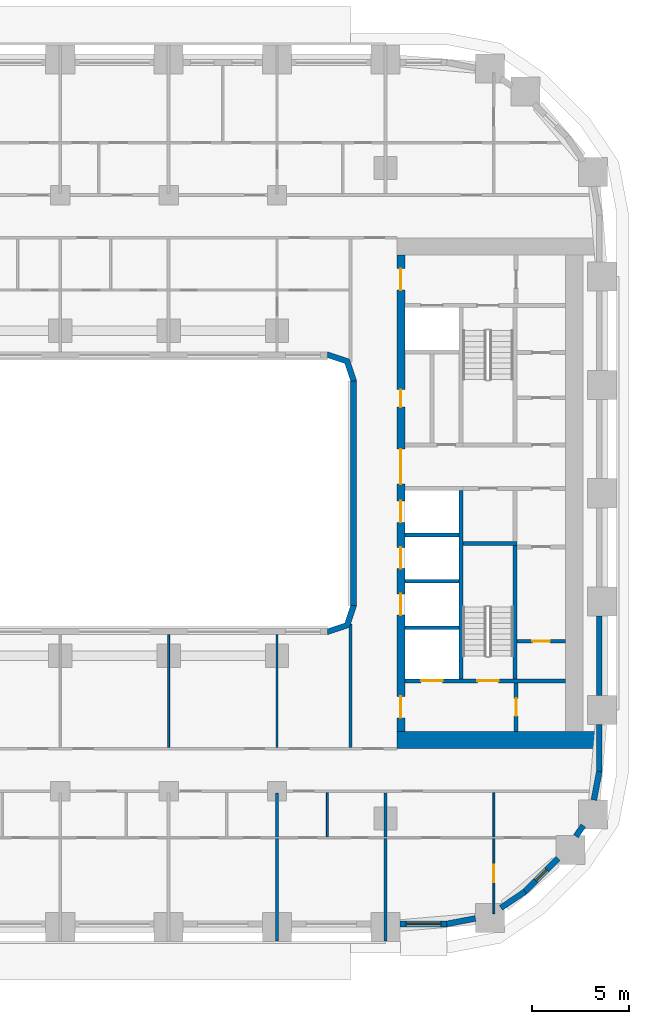
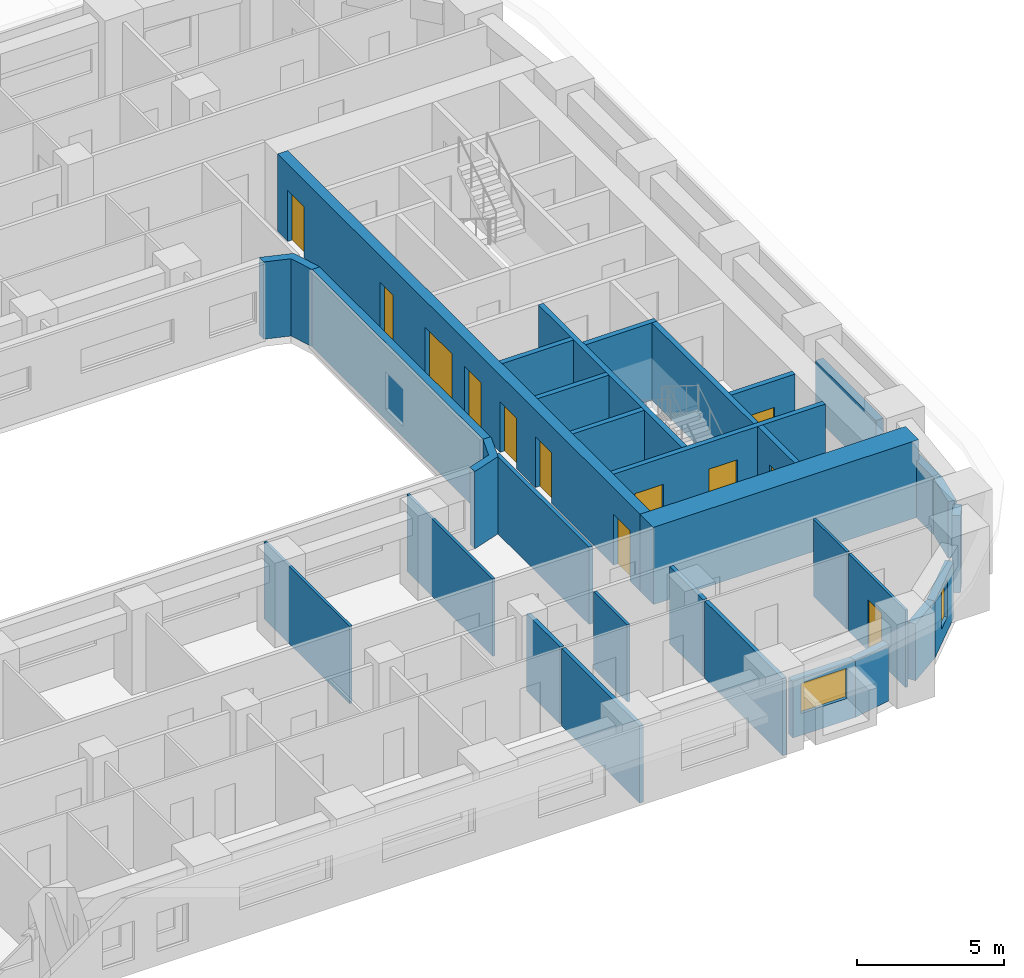
# One storey, part 6 of 22: 32 walls, 12 doors, 2 windows, 14 openings.
"""IFC4 building model written with IfcOpenShell, lengths in metres."""

from ifc_helpers import new_model, si_unit, direction, frame, frame_2d, origin, place, context, subcontext, project, spatial, polyline, rectangle, outline, extrude, material, layer, layer_set, type_object, element, fill, save


model = new_model("IFC4")

# Units and contexts
model_context = context("Model", 3, precision=1e-05, world=origin(), true_north=direction((0.0, 1.0)))
body_context = subcontext(model_context, "Body", "Model", "MODEL_VIEW")
ifc_project = project(units=[si_unit("LENGTHUNIT", "METRE"), si_unit("AREAUNIT", "SQUARE_METRE"), si_unit("VOLUMEUNIT", "CUBIC_METRE"), si_unit("PLANEANGLEUNIT", "RADIAN"), si_unit("MASSUNIT", "GRAM", prefix="KILO")], contexts=[model_context])

# Site, building, storey
site_placement = place(None, origin())
site = spatial("IfcSite", under=ifc_project, at=site_placement, CompositionType="ELEMENT")
building_placement = place(site_placement, origin())
building = spatial("IfcBuilding", under=site, at=building_placement, Name="Kiln Ring Residences", CompositionType="ELEMENT")
storey_placement = place(building_placement, frame((0.0, 0.0, 44.5)))
storey = spatial("IfcBuildingStorey", under=building, at=storey_placement, Name="L10", CompositionType="ELEMENT", Elevation=44.5)

# Wall, opening, door
ifc_material_1 = material(Name="Gypsum board on steel studs", Category="steel")
ifc_layer_1 = layer(ifc_material_1, 0.199951171875)
ifc_layer_set_1 = layer_set([ifc_layer_1], Name="CORE-PARTITION-200")
wall_type_1 = type_object("IfcWallType", Name="CORE-PARTITION-200", PredefinedType="PARTITIONING", material=ifc_layer_set_1)
wall_1_placement = place(storey_placement, frame((23.550048828125, -12.300048828125, 0.0), z_axis=(0.0, 0.0, 1.0), x_axis=(0.0, 1.0, 0.0)))
wall_1 = element("IfcWall", 1, at=wall_1_placement, inside=storey, type_object=wall_type_1, Name="Core partition east L10 5", PredefinedType="PARTITIONING", context=body_context, shape_type="SweptSolid", body=[
    extrude(rectangle(XDim=2.5, YDim=0.199951171875, at=frame_2d((1.25, 0.0))), origin(), (0.0, 0.0, 1.0), 3.199951171875),
])
opening_1_placement = place(wall_1_placement, frame((0.800048828125, 0.0, 0.0)))
opening_1 = element("IfcOpeningElement", 2, at=opening_1_placement, cuts=wall_1, Name="Opening L10-CE11", PredefinedType="OPENING", context=body_context, shape_type="SweptSolid", body=[
    extrude(rectangle(XDim=0.89990234375, YDim=2.10009765625, at=frame_2d((0.449951171875, 1.050048828125))), frame((0.0, 0.10986328125, 0.0), z_axis=(0.0, -1.0, 0.0), x_axis=(1.0, 0.0, 0.0)), (0.0, 0.0, 1.0), 0.219970703125),
])
ifc_material_2 = material(Name="Steel door leaf", Category="steel")
door_type_1 = type_object("IfcDoorType", Name="CORE-DOOR-ROOM", OperationType="SINGLE_SWING_LEFT", PredefinedType="DOOR", material=ifc_material_2)
door_1_placement = place(opening_1_placement, origin())
door_1 = element("IfcDoor", 3, at=door_1_placement, inside=storey, type_object=door_type_1, Name="Store L10-CE11", OperationType="SINGLE_SWING_RIGHT", OverallHeight=2.10009765625, OverallWidth=0.89990234375, PredefinedType="DOOR", context=body_context, shape_type="SweptSolid", body=[
    extrude(rectangle(XDim=0.89990234375, YDim=2.10009765625, at=frame_2d((0.449951171875, 1.050048828125))), frame((0.0, 0.02490234375, 0.0), z_axis=(0.0, -1.0, 0.0), x_axis=(1.0, 0.0, 0.0)), (0.0, 0.0, 1.0), 0.050048828125),
])
fill(opening_1, door_1)

wall_2_placement = place(storey_placement, frame((23.60009765625, -7.64990234375, 0.0), z_axis=(0.0, 0.0, 1.0), x_axis=(1.0, 0.0, 0.0)))
wall_2 = element("IfcWall", 4, at=wall_2_placement, inside=storey, type_object=wall_type_1, Name="Core partition east L10 6", PredefinedType="PARTITIONING", context=body_context, shape_type="SweptSolid", body=[
    extrude(rectangle(XDim=2.5, YDim=0.199951171875, at=frame_2d((1.25, 0.0))), origin(), (0.0, 0.0, 1.0), 3.199951171875),
])
opening_2_placement = place(wall_2_placement, frame((0.800048828125, 0.0, 0.0)))
opening_2 = element("IfcOpeningElement", 5, at=opening_2_placement, cuts=wall_2, Name="Opening L10-CE16", PredefinedType="OPENING", context=body_context, shape_type="SweptSolid", body=[
    extrude(rectangle(XDim=0.89990234375, YDim=2.10009765625, at=frame_2d((0.449951171875, 1.050048828125))), frame((0.0, 0.10986328125, 0.0), z_axis=(0.0, -1.0, 0.0), x_axis=(1.0, 0.0, 0.0)), (0.0, 0.0, 1.0), 0.219970703125),
])
door_2_placement = place(opening_2_placement, origin())
door_2 = element("IfcDoor", 6, at=door_2_placement, inside=storey, type_object=door_type_1, Name="Plant room L10-CE16", OperationType="SINGLE_SWING_RIGHT", OverallHeight=2.10009765625, OverallWidth=0.89990234375, PredefinedType="DOOR", context=body_context, shape_type="SweptSolid", body=[
    extrude(rectangle(XDim=0.89990234375, YDim=2.10009765625, at=frame_2d((0.449951171875, 1.050048828125))), frame((0.0, 0.02490234375, 0.0), z_axis=(0.0, -1.0, 0.0), x_axis=(1.0, 0.0, 0.0)), (0.0, 0.0, 1.0), 0.050048828125),
])
fill(opening_2, door_2)

# Walls
ifc_material_3 = material(Name="Gypsum shaft wall system")
ifc_layer_2 = layer(ifc_material_3, 0.199951171875)
ifc_layer_set_2 = layer_set([ifc_layer_2], Name="CORE-SHAFT-WALL-200")
wall_type_2 = type_object("IfcWallType", Name="CORE-SHAFT-WALL-200", PredefinedType="PARTITIONING", material=ifc_layer_set_2)
for number, where, z_axis, x_axis, name in (
    (7, (17.800048828125, -6.949951171875, 0.0), (0.0, 0.0, 1.0), (1.0, 0.0, 0.0), "Core partition east L10 10"),
    (8, (17.800048828125, -4.550048828125, 0.0), (0.0, 0.0, 1.0), (1.0, 0.0, 0.0), "Core partition east L10 11"),
    (9, (17.800048828125, -2.14990234375, 0.0), (0.0, 0.0, 1.0), (1.0, 0.0, 0.0), "Core partition east L10 12"),
):
    element("IfcWall", number, at=place(storey_placement, frame(where, z_axis=z_axis, x_axis=x_axis)), inside=storey, type_object=wall_type_2, Name=name, PredefinedType="PARTITIONING", context=body_context, shape_type="SweptSolid", body=[
        extrude(rectangle(XDim=2.800048828125, YDim=0.199951171875, at=frame_2d((1.39990234375, 0.0))), origin(), (0.0, 0.0, 1.0), 3.199951171875),
    ])
ifc_material_4 = material(Name="Concrete C40/50", Category="concrete")
ifc_layer_3 = layer(ifc_material_4, 0.199951171875)
ifc_layer_set_3 = layer_set([ifc_layer_3], Name="CORE-WALL-RC200")
wall_type_3 = type_object("IfcWallType", Name="CORE-WALL-RC200", PredefinedType="SHEAR", material=ifc_layer_set_3)
wall_3_placement = place(storey_placement, frame((20.699951171875, -9.60009765625, 0.0), z_axis=(0.0, 0.0, 1.0), x_axis=(0.0, 1.0, 0.0)))
element("IfcWall", 10, at=wall_3_placement, inside=storey, type_object=wall_type_3, Name="Core wall east L10 2", PredefinedType="SHEAR", context=body_context, shape_type="SweptSolid", body=[
    extrude(rectangle(XDim=9.75, YDim=0.199951171875, at=frame_2d((4.875, 0.0))), origin(), (0.0, 0.0, 1.0), 3.199951171875),
])

# Wall, openings, doors
wall_4_placement = place(storey_placement, frame((17.800048828125, -9.699951171875, 0.0), z_axis=(0.0, 0.0, 1.0), x_axis=(1.0, 0.0, 0.0)))
wall_4 = element("IfcWall", 11, at=wall_4_placement, inside=storey, type_object=wall_type_3, Name="Core wall east L10 8", PredefinedType="SHEAR", context=body_context, shape_type="SweptSolid", body=[
    extrude(rectangle(XDim=8.300048828125, YDim=0.199951171875, at=frame_2d((4.14990234375, 0.0))), origin(), (0.0, 0.0, 1.0), 3.199951171875),
])
opening_3_placement = place(wall_4_placement, frame((0.85009765625, 0.0, 0.0)))
opening_3 = element("IfcOpeningElement", 12, at=opening_3_placement, cuts=wall_4, Name="Opening L10-CE01", PredefinedType="OPENING", context=body_context, shape_type="SweptSolid", body=[
    extrude(rectangle(XDim=1.10009765625, YDim=2.10009765625, at=frame_2d((0.550048828125, 1.050048828125))), frame((0.0, 0.10986328125, 0.0), z_axis=(0.0, -1.0, 0.0), x_axis=(1.0, 0.0, 0.0)), (0.0, 0.0, 1.0), 0.219970703125),
])
opening_4_placement = place(wall_4_placement, frame((3.75, 0.0, 0.0)))
opening_4 = element("IfcOpeningElement", 13, at=opening_4_placement, cuts=wall_4, Name="Opening L10-CE13", PredefinedType="OPENING", context=body_context, shape_type="SweptSolid", body=[
    extrude(rectangle(XDim=1.10009765625, YDim=2.10009765625, at=frame_2d((0.550048828125, 1.050048828125))), frame((0.0, 0.10986328125, 0.0), z_axis=(0.0, -1.0, 0.0), x_axis=(1.0, 0.0, 0.0)), (0.0, 0.0, 1.0), 0.219970703125),
])
ifc_material_5 = material(Name="Steel door leaf", Category="steel")
door_type_2 = type_object("IfcDoorType", Name="CORE-DOOR-LD", OperationType="DOUBLE_DOOR_SLIDING", PredefinedType="DOOR", material=ifc_material_5)
door_3_placement = place(opening_3_placement, origin())
door_3 = element("IfcDoor", 14, at=door_3_placement, inside=storey, type_object=door_type_2, Name="LD E-SV L10-CE01", OperationType="DOUBLE_DOOR_SLIDING", OverallHeight=2.10009765625, OverallWidth=1.10009765625, PredefinedType="DOOR", context=body_context, shape_type="SweptSolid", body=[
    extrude(rectangle(XDim=1.10009765625, YDim=2.10009765625, at=frame_2d((0.550048828125, 1.050048828125))), frame((0.0, 0.02490234375, 0.0), z_axis=(0.0, -1.0, 0.0), x_axis=(1.0, 0.0, 0.0)), (0.0, 0.0, 1.0), 0.050048828125),
])
fill(opening_3, door_3)
ifc_material_6 = material(Name="Steel door leaf", Category="steel")
door_type_3 = type_object("IfcDoorType", Name="CORE-DOOR-STAIR", OperationType="SINGLE_SWING_LEFT", PredefinedType="DOOR", material=ifc_material_6)
door_4_placement = place(opening_4_placement, origin())
door_4 = element("IfcDoor", 15, at=door_4_placement, inside=storey, type_object=door_type_3, Name="Stair E-STS L10-CE13", OperationType="SINGLE_SWING_LEFT", OverallHeight=2.10009765625, OverallWidth=1.10009765625, PredefinedType="DOOR", context=body_context, shape_type="SweptSolid", body=[
    extrude(rectangle(XDim=1.10009765625, YDim=2.10009765625, at=frame_2d((0.550048828125, 1.050048828125))), frame((0.0, 0.02490234375, 0.0), z_axis=(0.0, -1.0, 0.0), x_axis=(1.0, 0.0, 0.0)), (0.0, 0.0, 1.0), 0.050048828125),
])
fill(opening_4, door_4)

# Walls
wall_5_placement = place(storey_placement, frame((23.5, -9.60009765625, 0.0), z_axis=(0.0, 0.0, 1.0), x_axis=(0.0, 1.0, 0.0)))
element("IfcWall", 16, at=wall_5_placement, inside=storey, type_object=wall_type_3, Name="Core wall east L10 11", PredefinedType="SHEAR", context=body_context, shape_type="SweptSolid", body=[
    extrude(rectangle(XDim=6.900146484375, YDim=0.199951171875, at=frame_2d((3.4501953125, 0.0))), origin(), (0.0, 0.0, 1.0), 3.199951171875),
])
wall_6_placement = place(storey_placement, frame((20.800048828125, -2.60009765625, 0.0), z_axis=(0.0, 0.0, 1.0), x_axis=(1.0, 0.0, 0.0)))
element("IfcWall", 17, at=wall_6_placement, inside=storey, type_object=wall_type_3, Name="Core wall east L10 12", PredefinedType="SHEAR", context=body_context, shape_type="SweptSolid", body=[
    extrude(rectangle(XDim=2.800048828125, YDim=0.199951171875, at=frame_2d((1.39990234375, 0.0))), origin(), (0.0, 0.0, 1.0), 3.199951171875),
])

# Wall, openings, doors
ifc_material_7 = material(Name="Concrete C60/75", Category="concrete")
ifc_layer_4 = layer(ifc_material_7, 0.39990234375)
ifc_layer_set_4 = layer_set([ifc_layer_4], Name="CORE-WALL-RC400")
wall_type_4 = type_object("IfcWallType", Name="CORE-WALL-RC400", PredefinedType="SHEAR", material=ifc_layer_set_4)
wall_7_placement = place(storey_placement, frame((17.60009765625, -12.300048828125, 0.0), z_axis=(0.0, 0.0, 1.0), x_axis=(0.0, 1.0, 0.0)))
wall_7 = element("IfcWall", 18, at=wall_7_placement, inside=storey, type_object=wall_type_4, Name="Core wall east L10 6", PredefinedType="SHEAR", context=body_context, shape_type="SweptSolid", body=[
    extrude(rectangle(XDim=24.60009765625, YDim=0.39990234375, at=frame_2d((12.300048828125, 0.0))), origin(), (0.0, 0.0, 1.0), 3.199951171875),
])
opening_5_placement = place(wall_7_placement, frame((6.0, 0.0, 0.0)))
opening_5 = element("IfcOpeningElement", 19, at=opening_5_placement, cuts=wall_7, Name="Opening L10-CE02", PredefinedType="OPENING", context=body_context, shape_type="SweptSolid", body=[
    extrude(rectangle(XDim=1.10009765625, YDim=2.10009765625, at=frame_2d((0.550048828125, 1.050048828125))), frame((0.0, 0.2099609375, 0.0), z_axis=(0.0, -1.0, 0.0), x_axis=(1.0, 0.0, 0.0)), (0.0, 0.0, 1.0), 0.419921875),
])
opening_6_placement = place(wall_7_placement, frame((8.39990234375, 0.0, 0.0)))
opening_6 = element("IfcOpeningElement", 20, at=opening_6_placement, cuts=wall_7, Name="Opening L10-CE03", PredefinedType="OPENING", context=body_context, shape_type="SweptSolid", body=[
    extrude(rectangle(XDim=1.10009765625, YDim=2.10009765625, at=frame_2d((0.550048828125, 1.050048828125))), frame((0.0, 0.2099609375, 0.0), z_axis=(0.0, -1.0, 0.0), x_axis=(1.0, 0.0, 0.0)), (0.0, 0.0, 1.0), 0.419921875),
])
opening_7_placement = place(wall_7_placement, frame((10.800048828125, 0.0, 0.0)))
opening_7 = element("IfcOpeningElement", 21, at=opening_7_placement, cuts=wall_7, Name="Opening L10-CE04", PredefinedType="OPENING", context=body_context, shape_type="SweptSolid", body=[
    extrude(rectangle(XDim=1.10009765625, YDim=2.10009765625, at=frame_2d((0.550048828125, 1.050048828125))), frame((0.0, 0.2099609375, 0.0), z_axis=(0.0, -1.0, 0.0), x_axis=(1.0, 0.0, 0.0)), (0.0, 0.0, 1.0), 0.419921875),
])
opening_8_placement = place(wall_7_placement, frame((16.75, 0.0, 0.0)))
opening_8 = element("IfcOpeningElement", 22, at=opening_8_placement, cuts=wall_7, Name="Opening L10-CE05", PredefinedType="OPENING", context=body_context, shape_type="SweptSolid", body=[
    extrude(rectangle(XDim=0.89990234375, YDim=2.10009765625, at=frame_2d((0.449951171875, 1.050048828125))), frame((0.0, 0.2099609375, 0.0), z_axis=(0.0, -1.0, 0.0), x_axis=(1.0, 0.0, 0.0)), (0.0, 0.0, 1.0), 0.419921875),
])
opening_9_placement = place(wall_7_placement, frame((22.800048828125, 0.0, 0.0)))
opening_9 = element("IfcOpeningElement", 23, at=opening_9_placement, cuts=wall_7, Name="Opening L10-CE08", PredefinedType="OPENING", context=body_context, shape_type="SweptSolid", body=[
    extrude(rectangle(XDim=1.10009765625, YDim=2.10009765625, at=frame_2d((0.550048828125, 1.050048828125))), frame((0.0, 0.2099609375, 0.0), z_axis=(0.0, -1.0, 0.0), x_axis=(1.0, 0.0, 0.0)), (0.0, 0.0, 1.0), 0.419921875),
])
opening_10_placement = place(wall_7_placement, frame((0.699951171875, 0.0, 0.0)))
opening_10 = element("IfcOpeningElement", 24, at=opening_10_placement, cuts=wall_7, Name="Opening L10-CE09", PredefinedType="OPENING", context=body_context, shape_type="SweptSolid", body=[
    extrude(rectangle(XDim=1.10009765625, YDim=2.10009765625, at=frame_2d((0.550048828125, 1.050048828125))), frame((0.0, 0.2099609375, 0.0), z_axis=(0.0, -1.0, 0.0), x_axis=(1.0, 0.0, 0.0)), (0.0, 0.0, 1.0), 0.419921875),
])
opening_11_placement = place(wall_7_placement, frame((12.77490234375, 0.0, 0.0)))
opening_11 = element("IfcOpeningElement", 25, at=opening_11_placement, cuts=wall_7, Name="Opening L10-CE14", PredefinedType="OPENING", context=body_context, shape_type="SweptSolid", body=[
    extrude(rectangle(XDim=1.800048828125, YDim=2.10009765625, at=frame_2d((0.89990234375, 1.050048828125))), frame((0.0, 0.2099609375, 0.0), z_axis=(0.0, -1.0, 0.0), x_axis=(1.0, 0.0, 0.0)), (0.0, 0.0, 1.0), 0.419921875),
])
door_5_placement = place(opening_5_placement, origin())
door_5 = element("IfcDoor", 26, at=door_5_placement, inside=storey, type_object=door_type_2, Name="LD E-L1 L10-CE02", OperationType="DOUBLE_DOOR_SLIDING", OverallHeight=2.10009765625, OverallWidth=1.10009765625, PredefinedType="DOOR", context=body_context, shape_type="SweptSolid", body=[
    extrude(rectangle(XDim=1.10009765625, YDim=2.10009765625, at=frame_2d((0.550048828125, 1.050048828125))), frame((0.0, 0.02490234375, 0.0), z_axis=(0.0, -1.0, 0.0), x_axis=(1.0, 0.0, 0.0)), (0.0, 0.0, 1.0), 0.050048828125),
])
fill(opening_5, door_5)
door_6_placement = place(opening_6_placement, origin())
door_6 = element("IfcDoor", 27, at=door_6_placement, inside=storey, type_object=door_type_2, Name="LD E-L2 L10-CE03", OperationType="DOUBLE_DOOR_SLIDING", OverallHeight=2.10009765625, OverallWidth=1.10009765625, PredefinedType="DOOR", context=body_context, shape_type="SweptSolid", body=[
    extrude(rectangle(XDim=1.10009765625, YDim=2.10009765625, at=frame_2d((0.550048828125, 1.050048828125))), frame((0.0, 0.02490234375, 0.0), z_axis=(0.0, -1.0, 0.0), x_axis=(1.0, 0.0, 0.0)), (0.0, 0.0, 1.0), 0.050048828125),
])
fill(opening_6, door_6)
door_7_placement = place(opening_7_placement, origin())
door_7 = element("IfcDoor", 28, at=door_7_placement, inside=storey, type_object=door_type_2, Name="LD E-L3 L10-CE04", OperationType="DOUBLE_DOOR_SLIDING", OverallHeight=2.10009765625, OverallWidth=1.10009765625, PredefinedType="DOOR", context=body_context, shape_type="SweptSolid", body=[
    extrude(rectangle(XDim=1.10009765625, YDim=2.10009765625, at=frame_2d((0.550048828125, 1.050048828125))), frame((0.0, 0.02490234375, 0.0), z_axis=(0.0, -1.0, 0.0), x_axis=(1.0, 0.0, 0.0)), (0.0, 0.0, 1.0), 0.050048828125),
])
fill(opening_7, door_7)
ifc_material_8 = material(Name="Steel door leaf", Category="steel")
door_type_4 = type_object("IfcDoorType", Name="CORE-DOOR-LOBBY", OperationType="SINGLE_SWING_LEFT", PredefinedType="DOOR", material=ifc_material_8)
door_8_placement = place(opening_9_placement, origin())
door_8 = element("IfcDoor", 29, at=door_8_placement, inside=storey, type_object=door_type_4, Name="FFL L10-CE08", OperationType="SINGLE_SWING_RIGHT", OverallHeight=2.10009765625, OverallWidth=1.10009765625, PredefinedType="DOOR", context=body_context, shape_type="SweptSolid", body=[
    extrude(rectangle(XDim=1.10009765625, YDim=2.10009765625, at=frame_2d((0.550048828125, 1.050048828125))), frame((0.0, 0.02490234375, 0.0), z_axis=(0.0, -1.0, 0.0), x_axis=(1.0, 0.0, 0.0)), (0.0, 0.0, 1.0), 0.050048828125),
])
fill(opening_9, door_8)
door_9_placement = place(opening_10_placement, origin())
door_9 = element("IfcDoor", 30, at=door_9_placement, inside=storey, type_object=door_type_4, Name="SVL L10-CE09", OperationType="SINGLE_SWING_LEFT", OverallHeight=2.10009765625, OverallWidth=1.10009765625, PredefinedType="DOOR", context=body_context, shape_type="SweptSolid", body=[
    extrude(rectangle(XDim=1.10009765625, YDim=2.10009765625, at=frame_2d((0.550048828125, 1.050048828125))), frame((0.0, 0.02490234375, 0.0), z_axis=(0.0, -1.0, 0.0), x_axis=(1.0, 0.0, 0.0)), (0.0, 0.0, 1.0), 0.050048828125),
])
fill(opening_10, door_9)
ifc_material_9 = material(Name="Steel door leaf", Category="steel")
door_type_5 = type_object("IfcDoorType", Name="CORE-DOOR-PASS", OperationType="DOUBLE_DOOR_SINGLE_SWING", PredefinedType="DOOR", material=ifc_material_9)
door_10_placement = place(opening_11_placement, origin())
door_10 = element("IfcDoor", 31, at=door_10_placement, inside=storey, type_object=door_type_5, Name="Core passage L10-CE14", OperationType="DOUBLE_DOOR_SINGLE_SWING", OverallHeight=2.10009765625, OverallWidth=1.800048828125, PredefinedType="DOOR", context=body_context, shape_type="SweptSolid", body=[
    extrude(rectangle(XDim=1.800048828125, YDim=2.10009765625, at=frame_2d((0.89990234375, 1.050048828125))), frame((0.0, 0.02490234375, 0.0), z_axis=(0.0, -1.0, 0.0), x_axis=(1.0, 0.0, 0.0)), (0.0, 0.0, 1.0), 0.050048828125),
])
fill(opening_11, door_10)
door_11_placement = place(opening_8_placement, origin())
door_11 = element("IfcDoor", 32, at=door_11_placement, inside=storey, type_object=door_type_1, Name="Storage room L10-CE05", OperationType="SINGLE_SWING_RIGHT", OverallHeight=2.10009765625, OverallWidth=0.89990234375, PredefinedType="DOOR", context=body_context, shape_type="SweptSolid", body=[
    extrude(rectangle(XDim=0.89990234375, YDim=2.10009765625, at=frame_2d((0.449951171875, 1.050048828125))), frame((0.0, 0.02490234375, 0.0), z_axis=(0.0, -1.0, 0.0), x_axis=(1.0, 0.0, 0.0)), (0.0, 0.0, 1.0), 0.050048828125),
])
fill(opening_8, door_11)

# Wall
ifc_material_10 = material(Name="Concrete C60/75", Category="concrete")
ifc_layer_5 = layer(ifc_material_10, 0.89990234375)
ifc_layer_set_5 = layer_set([ifc_layer_5], Name="CORE-WALL-RC900")
wall_type_5 = type_object("IfcWallType", Name="CORE-WALL-RC900", PredefinedType="SHEAR", material=ifc_layer_set_5)
wall_8_placement = place(storey_placement, frame((17.39990234375, -12.75, 0.0), z_axis=(0.0, 0.0, 1.0), x_axis=(1.0, 0.0, 0.0)))
element("IfcWall", 33, at=wall_8_placement, inside=storey, type_object=wall_type_5, Name="Core wall east L10 5", PredefinedType="SHEAR", context=body_context, shape_type="SweptSolid", body=[
    extrude(rectangle(XDim=10.400146484375, YDim=0.89990234375, at=frame_2d((5.2001953125, 0.0))), origin(), (0.0, 0.0, 1.0), 3.199951171875),
])

# Wall, opening, window
ifc_material_11 = material(Name="Brick masonry, dark clay brick", Category="masonry")
ifc_layer_6 = layer(ifc_material_11, 0.300048828125)
ifc_layer_set_6 = layer_set([ifc_layer_6], Name="EW-300 BRICK WALL")
wall_type_6 = type_object("IfcWallType", Name="EW-300 BRICK WALL", PredefinedType="SOLIDWALL", material=ifc_layer_set_6)
wall_9_placement = place(storey_placement, frame((17.550048828125, -22.25, 0.0), z_axis=(0.0, 0.0, 1.0), x_axis=(1.0, 0.0, 0.0)))
wall_9 = element("IfcWall", 34, at=wall_9_placement, inside=storey, type_object=wall_type_6, Name="Facade wall L10 11", PredefinedType="SOLIDWALL", context=body_context, shape_type="SweptSolid", body=[
    extrude(rectangle(XDim=2.449951171875, YDim=0.300048828125, at=frame_2d((1.22509765625, 0.0))), origin(), (0.0, 0.0, 1.0), 2.35009765625),
])
opening_12_placement = place(wall_9_placement, frame((0.324951171875, 0.0, 0.89990234375)))
opening_12 = element("IfcOpeningElement", 35, at=opening_12_placement, cuts=wall_9, Name="Opening W2", PredefinedType="OPENING", context=body_context, shape_type="SweptSolid", body=[
    extrude(rectangle(XDim=1.800048828125, YDim=1.25, at=frame_2d((0.89990234375, 0.625))), frame((0.0, 0.159912109375, 0.0), z_axis=(0.0, -1.0, 0.0), x_axis=(1.0, 0.0, 0.0)), (0.0, 0.0, 1.0), 0.320068359375),
])
ifc_material_12 = material(Name="Aluminium frame with double glazing", Category="aluminium")
window_type_1 = type_object("IfcWindowType", Name="WINDOW 1800 x 1250", PartitioningType="SINGLE_PANEL", PredefinedType="WINDOW", material=ifc_material_12)
window_1_placement = place(opening_12_placement, origin())
window_1 = element("IfcWindow", 36, at=window_1_placement, inside=storey, type_object=window_type_1, Name="Window L10 10", OverallHeight=1.25, OverallWidth=1.800048828125, PartitioningType="SINGLE_PANEL", PredefinedType="WINDOW", context=body_context, shape_type="SweptSolid", body=[
    extrude(rectangle(XDim=1.800048828125, YDim=1.25, at=frame_2d((0.89990234375, 0.625))), frame((0.0, 0.030029296875, 0.0), z_axis=(0.0, -1.0, 0.0), x_axis=(1.0, 0.0, 0.0)), (0.0, 0.0, 1.0), 0.06005859375),
])
fill(opening_12, window_1)

# Walls
for number, where, z_axis, x_axis, name in (
    (37, (19.971923828125, -22.252685546875, 0.0), (0.0, 0.0, 1.0), (0.982287454367, 0.187380247071, 0.0), "Facade wall L10 12"),
    (38, (22.76708984375, -21.425537109375, 0.0), (0.0, 0.0, 1.0), (0.827028997312, 0.562159263559, 0.0), "Facade wall L10 13"),
):
    element("IfcWall", number, at=place(storey_placement, frame(where, z_axis=z_axis, x_axis=x_axis)), inside=storey, type_object=wall_type_6, Name=name, PredefinedType="SOLIDWALL", context=body_context, shape_type="SweptSolid", body=[
        extrude(rectangle(XDim=1.506103515625, YDim=0.300048828125, at=frame_2d((0.7529296875, 0.0))), origin(), (0.0, 0.0, 1.0), 2.35009765625),
    ])

# Wall, opening, window
wall_10_placement = place(storey_placement, frame((23.990966796875, -20.596923828125, 0.0), z_axis=(0.0, 0.0, 1.0), x_axis=(0.707106781187, 0.707106781187, 0.0)))
wall_10 = element("IfcWall", 39, at=wall_10_placement, inside=storey, type_object=wall_type_6, Name="Facade wall L10 14", PredefinedType="SOLIDWALL", context=body_context, shape_type="SweptSolid", body=[
    extrude(rectangle(XDim=2.449951171875, YDim=0.300048828125, at=frame_2d((1.22509765625, 0.0))), origin(), (0.0, 0.0, 1.0), 2.35009765625),
])
opening_13_placement = place(wall_10_placement, frame((0.824951171875, 0.0, 0.60009765625)))
opening_13 = element("IfcOpeningElement", 40, at=opening_13_placement, cuts=wall_10, Name="Opening W5", PredefinedType="OPENING", context=body_context, shape_type="SweptSolid", body=[
    extrude(rectangle(XDim=0.800048828125, YDim=1.550048828125, at=frame_2d((0.39990234375, 0.77490234375))), frame((0.0, 0.159912109375, 0.0), z_axis=(0.0, -1.0, 0.0), x_axis=(1.0, 0.0, 0.0)), (0.0, 0.0, 1.0), 0.320068359375),
])
ifc_material_13 = material(Name="Aluminium frame with double glazing", Category="aluminium")
window_type_2 = type_object("IfcWindowType", Name="WINDOW 800 x 1550", PartitioningType="SINGLE_PANEL", PredefinedType="WINDOW", material=ifc_material_13)
window_2_placement = place(opening_13_placement, origin())
window_2 = element("IfcWindow", 41, at=window_2_placement, inside=storey, type_object=window_type_2, Name="Window L10 11", OverallHeight=1.550048828125, OverallWidth=0.800048828125, PartitioningType="SINGLE_PANEL", PredefinedType="WINDOW", context=body_context, shape_type="SweptSolid", body=[
    extrude(rectangle(XDim=0.800048828125, YDim=1.550048828125, at=frame_2d((0.39990234375, 0.77490234375))), frame((0.0, 0.030029296875, 0.0), z_axis=(0.0, -1.0, 0.0), x_axis=(1.0, 0.0, 0.0)), (0.0, 0.0, 1.0), 0.06005859375),
])
fill(opening_13, window_2)

# Walls
wall_11_placement = place(storey_placement, frame((26.644775390625, -17.72705078125, 0.0), z_axis=(0.0, 0.0, 1.0), x_axis=(0.562083182981, 0.827080706709, 0.0)))
element("IfcWall", 42, at=wall_11_placement, inside=storey, type_object=wall_type_6, Name="Facade wall L10 15", PredefinedType="SOLIDWALL", context=body_context, shape_type="SweptSolid", body=[
    extrude(rectangle(XDim=0.67724609375, YDim=0.300048828125, at=frame_2d((0.338623046875, 0.0))), origin(), (0.0, 0.0, 1.0), 3.199951171875),
])
wall_12_placement = place(storey_placement, frame((27.570556640625, -15.851318359375, 0.0), z_axis=(0.0, 0.0, 1.0), x_axis=(0.187223837635, 0.982317277982, 0.0)))
element("IfcWall", 43, at=wall_12_placement, inside=storey, type_object=wall_type_6, Name="Facade wall L10 16", PredefinedType="SOLIDWALL", context=body_context, shape_type="SweptSolid", body=[
    extrude(rectangle(XDim=1.506103515625, YDim=0.300048828125, at=frame_2d((0.7529296875, 0.0))), origin(), (0.0, 0.0, 1.0), 2.35009765625),
])
wall_13_placement = place(storey_placement, frame((27.85009765625, -14.39990234375, 0.0), z_axis=(0.0, 0.0, 1.0), x_axis=(0.0, 1.0, 0.0)))
element("IfcWall", 44, at=wall_13_placement, inside=storey, type_object=wall_type_6, Name="Facade wall L10 17", PredefinedType="SOLIDWALL", context=body_context, shape_type="SweptSolid", body=[
    extrude(rectangle(XDim=2.449951171875, YDim=0.300048828125, at=frame_2d((1.22509765625, 0.0))), origin(), (0.0, 0.0, 1.0), 2.35009765625),
])
wall_14_placement = place(storey_placement, frame((27.85009765625, -10.449951171875, 0.0), z_axis=(0.0, 0.0, 1.0), x_axis=(0.0, 1.0, 0.0)))
element("IfcWall", 45, at=wall_14_placement, inside=storey, type_object=wall_type_6, Name="Facade wall L10 18", PredefinedType="SOLIDWALL", context=body_context, shape_type="SweptSolid", body=[
    extrude(rectangle(XDim=4.099853515625, YDim=0.300048828125, at=frame_2d((2.0498046875, 0.0))), origin(), (0.0, 0.0, 1.0), 2.35009765625),
])
wall_15_placement = place(storey_placement, frame((15.14990234375, 5.800048828125, 0.0), z_axis=(0.0, 0.0, 1.0), x_axis=(0.0, -1.0, 0.0)))
element("IfcWall", 46, at=wall_15_placement, inside=storey, type_object=wall_type_6, Name="Facade wall L10 51", PredefinedType="SOLIDWALL", context=body_context, shape_type="SweptSolid", body=[
    extrude(rectangle(XDim=11.60009765625, YDim=0.300048828125, at=frame_2d((5.800048828125, 0.0))), origin(), (0.0, 0.0, 1.0), 3.199951171875),
])
placement = place(storey_placement, origin())
element("IfcWall", 47, at=placement, inside=storey, type_object=wall_type_6, Name="Corner wall L10 2", PredefinedType="SOLIDWALL", context=body_context, shape_type="SweptSolid", body=[
    extrude(outline(polyline([(14.937255859375, 6.937255859375), (13.8486328125, 7.300048828125), (13.800048828125, 7.300048828125), (13.800048828125, 7.0), (14.699951171875, 6.699951171875), (15.0, 5.800048828125), (15.300048828125, 5.800048828125), (15.300048828125, 5.8486328125), (14.937255859375, 6.937255859375)])), origin(), (0.0, 0.0, 1.0), 3.199951171875),
])
element("IfcWall", 48, at=placement, inside=storey, type_object=wall_type_6, Name="Corner wall L10 3", PredefinedType="SOLIDWALL", context=body_context, shape_type="SweptSolid", body=[
    extrude(outline(polyline([(14.937255859375, -6.937255859375), (15.300048828125, -5.8486328125), (15.300048828125, -5.800048828125), (15.0, -5.800048828125), (14.699951171875, -6.699951171875), (13.800048828125, -7.0), (13.800048828125, -7.300048828125), (13.8486328125, -7.300048828125), (14.937255859375, -6.937255859375)])), origin(), (0.0, 0.0, 1.0), 3.199951171875),
])
ifc_material_14 = material(Name="Gypsum board on steel studs", Category="steel")
ifc_layer_7 = layer(ifc_material_14, 0.10009765625)
ifc_layer_set_7 = layer_set([ifc_layer_7], Name="PARTITION-100")
wall_type_7 = type_object("IfcWallType", Name="PARTITION-100", PredefinedType="PARTITIONING", material=ifc_layer_set_7)
for number, where, z_axis, x_axis, name in (
    (49, (5.60009765625, -13.125, 0.0), (0.0, 0.0, 1.0), (0.0, 1.0, 0.0), "Partition 048"),
    (50, (11.199951171875, -13.125, 0.0), (0.0, 0.0, 1.0), (0.0, 1.0, 0.0), "Partition 057"),
):
    element("IfcWall", number, at=place(storey_placement, frame(where, z_axis=z_axis, x_axis=x_axis)), inside=storey, type_object=wall_type_7, Name=name, PredefinedType="PARTITIONING", context=body_context, shape_type="SweptSolid", body=[
        extrude(rectangle(XDim=5.804931640625, YDim=0.10009765625, at=frame_2d((2.90234375, 0.0))), origin(), (0.0, 0.0, 1.0), 3.199951171875),
    ])
wall_18_placement = place(storey_placement, frame((13.800048828125, -17.75, 0.0), z_axis=(0.0, 0.0, 1.0), x_axis=(0.0, 1.0, 0.0)))
element("IfcWall", 51, at=wall_18_placement, inside=storey, type_object=wall_type_7, Name="Partition 064", PredefinedType="PARTITIONING", context=body_context, shape_type="SweptSolid", body=[
    extrude(rectangle(XDim=2.27490234375, YDim=0.10009765625, at=frame_2d((1.137451171875, 0.0))), origin(), (0.0, 0.0, 1.0), 3.199951171875),
])

# Wall, opening, door
wall_19_placement = place(storey_placement, frame((22.39990234375, -21.719970703125, 0.0), z_axis=(0.0, 0.0, 1.0), x_axis=(0.0, 1.0, 0.0)))
wall_19 = element("IfcWall", 52, at=wall_19_placement, inside=storey, type_object=wall_type_7, Name="Partition 072", PredefinedType="PARTITIONING", context=body_context, shape_type="SweptSolid", body=[
    extrude(rectangle(XDim=3.869873046875, YDim=0.10009765625, at=frame_2d((1.93505859375, 0.0))), origin(), (0.0, 0.0, 1.0), 3.199951171875),
])
opening_14_placement = place(wall_19_placement, frame((1.6220703125, 0.0, 0.0)))
opening_14 = element("IfcOpeningElement", 53, at=opening_14_placement, cuts=wall_19, Name="Opening L10-D076", PredefinedType="OPENING", context=body_context, shape_type="SweptSolid", body=[
    extrude(rectangle(XDim=0.89990234375, YDim=2.10009765625, at=frame_2d((0.449951171875, 1.050048828125))), frame((0.0, 0.06005859375, 0.0), z_axis=(0.0, -1.0, 0.0), x_axis=(1.0, 0.0, 0.0)), (0.0, 0.0, 1.0), 0.1201171875),
])
ifc_material_15 = material(Name="Timber door leaf", Category="wood")
door_type_6 = type_object("IfcDoorType", Name="FLAT-DOOR-900-PL", OperationType="SINGLE_SWING_LEFT", PredefinedType="DOOR", material=ifc_material_15)
door_12_placement = place(opening_14_placement, origin())
door_12 = element("IfcDoor", 54, at=door_12_placement, inside=storey, type_object=door_type_6, Name="Door L10-D076", OperationType="SINGLE_SWING_RIGHT", OverallHeight=2.10009765625, OverallWidth=0.89990234375, PredefinedType="DOOR", context=body_context, shape_type="SweptSolid", body=[
    extrude(rectangle(XDim=0.89990234375, YDim=2.10009765625, at=frame_2d((0.449951171875, 1.050048828125))), frame((0.0, 0.02490234375, 0.0), z_axis=(0.0, -1.0, 0.0), x_axis=(1.0, 0.0, 0.0)), (0.0, 0.0, 1.0), 0.050048828125),
])
fill(opening_14, door_12)

# Walls
wall_20_placement = place(storey_placement, frame((22.39990234375, -17.75, 0.0), z_axis=(0.0, 0.0, 1.0), x_axis=(0.0, 1.0, 0.0)))
element("IfcWall", 55, at=wall_20_placement, inside=storey, type_object=wall_type_7, Name="Partition 073", PredefinedType="PARTITIONING", context=body_context, shape_type="SweptSolid", body=[
    extrude(rectangle(XDim=2.27490234375, YDim=0.10009765625, at=frame_2d((1.137451171875, 0.0))), origin(), (0.0, 0.0, 1.0), 3.199951171875),
])
ifc_material_16 = material(Name="Brick masonry partition", Category="masonry")
ifc_layer_8 = layer(ifc_material_16, 0.14990234375)
ifc_layer_set_8 = layer_set([ifc_layer_8], Name="PARTITION-150-ei60")
wall_type_8 = type_object("IfcWallType", Name="PARTITION-150-ei60", PredefinedType="PARTITIONING", material=ifc_layer_set_8)
wall_21_placement = place(storey_placement, frame((11.199951171875, -23.1298828125, 0.0), z_axis=(0.0, 0.0, 1.0), x_axis=(0.0, 1.0, 0.0)))
element("IfcWall", 56, at=wall_21_placement, inside=storey, type_object=wall_type_8, Name="Partition 062", PredefinedType="PARTITIONING", context=body_context, shape_type="SweptSolid", body=[
    extrude(rectangle(XDim=5.27978515625, YDim=0.14990234375, at=frame_2d((2.639892578125, 0.0))), origin(), (0.0, 0.0, 1.0), 3.199951171875),
])
wall_22_placement = place(storey_placement, frame((11.199951171875, -17.75, 0.0), z_axis=(0.0, 0.0, 1.0), x_axis=(0.0, 1.0, 0.0)))
element("IfcWall", 57, at=wall_22_placement, inside=storey, type_object=wall_type_8, Name="Partition 063", PredefinedType="PARTITIONING", context=body_context, shape_type="SweptSolid", body=[
    extrude(rectangle(XDim=2.27490234375, YDim=0.14990234375, at=frame_2d((1.137451171875, 0.0))), origin(), (0.0, 0.0, 1.0), 3.199951171875),
])
wall_23_placement = place(storey_placement, frame((15.0, -13.125, 0.0), z_axis=(0.0, 0.0, 1.0), x_axis=(0.0, 1.0, 0.0)))
element("IfcWall", 58, at=wall_23_placement, inside=storey, type_object=wall_type_8, Name="Partition 066", PredefinedType="PARTITIONING", context=body_context, shape_type="SweptSolid", body=[
    extrude(rectangle(XDim=6.356201171875, YDim=0.14990234375, at=frame_2d((3.17822265625, 0.0))), origin(), (0.0, 0.0, 1.0), 3.199951171875),
])
wall_24_placement = place(storey_placement, frame((16.800048828125, -23.1298828125, 0.0), z_axis=(0.0, 0.0, 1.0), x_axis=(0.0, 1.0, 0.0)))
element("IfcWall", 59, at=wall_24_placement, inside=storey, type_object=wall_type_8, Name="Partition 068", PredefinedType="PARTITIONING", context=body_context, shape_type="SweptSolid", body=[
    extrude(rectangle(XDim=5.27978515625, YDim=0.14990234375, at=frame_2d((2.639892578125, 0.0))), origin(), (0.0, 0.0, 1.0), 3.199951171875),
])
wall_25_placement = place(storey_placement, frame((16.800048828125, -17.75, 0.0), z_axis=(0.0, 0.0, 1.0), x_axis=(0.0, 1.0, 0.0)))
element("IfcWall", 60, at=wall_25_placement, inside=storey, type_object=wall_type_8, Name="Partition 069", PredefinedType="PARTITIONING", context=body_context, shape_type="SweptSolid", body=[
    extrude(rectangle(XDim=2.27490234375, YDim=0.14990234375, at=frame_2d((1.137451171875, 0.0))), origin(), (0.0, 0.0, 1.0), 3.199951171875),
])

save(model, "model.ifc")
